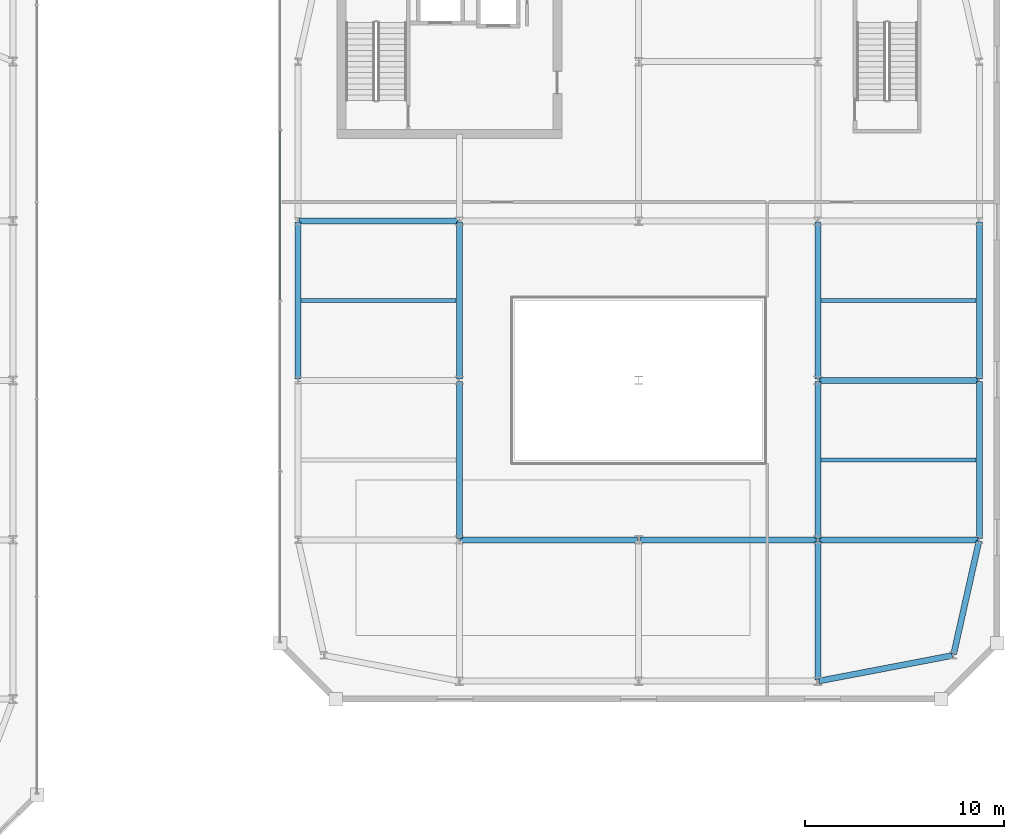
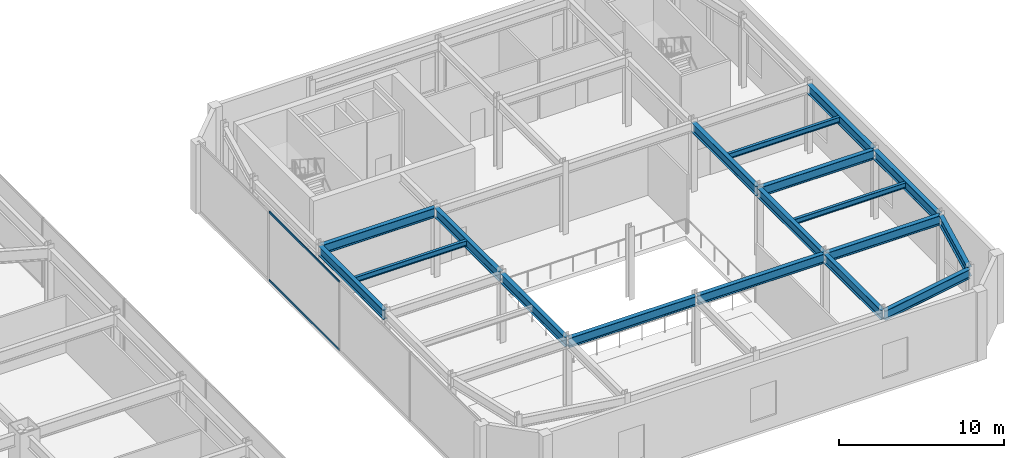
# One storey, part 35 of 52: 18 beams, 2 members, 1 element without a shape of its own.
"""IFC4 building model written with IfcOpenShell, lengths in metres."""

from ifc_helpers import new_model, si_unit, direction, frame, origin, origin_2d, place, context, subcontext, project, spatial, hollow_rectangle, i_section, extrude, material, material_profile, profile_set, type_object, element, aggregate, save


model = new_model("IFC4")

# Units and contexts
model_context = context("Model", 3, precision=1e-05, world=origin(), true_north=direction((0.0, 1.0)))
body_context = subcontext(model_context, "Body", "Model", "MODEL_VIEW")
ifc_project = project(units=[si_unit("LENGTHUNIT", "METRE"), si_unit("AREAUNIT", "SQUARE_METRE"), si_unit("VOLUMEUNIT", "CUBIC_METRE"), si_unit("PLANEANGLEUNIT", "RADIAN"), si_unit("MASSUNIT", "GRAM", prefix="KILO")], contexts=[model_context])

# Site, building, storey
site_placement = place(None, origin())
site = spatial("IfcSite", under=ifc_project, at=site_placement, CompositionType="ELEMENT")
building_placement = place(site_placement, origin())
building = spatial("IfcBuilding", under=site, at=building_placement, Name="Saevonmaru Cultural Tower", CompositionType="ELEMENT")
storey_placement = place(building_placement, frame((0.0, 0.0, 11.39990234375)))
storey = spatial("IfcBuildingStorey", under=building, at=storey_placement, Name="L02", CompositionType="ELEMENT", Elevation=11.39990234375)

# Beams
ifc_material_1 = material(Name="Steel SM355", Category="steel")
ifc_material_profile_1 = material_profile(ifc_material_1, i_section(OverallWidth=0.300048828125, OverallDepth=0.699951171875, WebThickness=0.012939453125, FlangeThickness=0.02392578125, FilletRadius=0.02587890625, at=origin_2d()), Name="H-700x300x13x24")
ifc_profile_set_1 = profile_set([ifc_material_profile_1], Name="Steel SM355")
beam_type_1 = type_object("IfcBeamType", Name="BM-G-H700", PredefinedType="BEAM", material=ifc_profile_set_1)
beam_1_placement = place(storey_placement, frame((99.2587890625, 8.911376953125, 4.75), z_axis=(0.982216489393, 0.187751878722, 0.0), x_axis=(-0.187751878722, 0.982216489393, 0.0)))
element("IfcBeam", 1, at=beam_1_placement, inside=storey, type_object=beam_type_1, Name="L02 Library Girder EW-1-4", PredefinedType="BEAM", context=body_context, shape_type="SweptSolid", body=[
    extrude(i_section(OverallWidth=0.300048828125, OverallDepth=0.699951171875, WebThickness=0.012939453125, FlangeThickness=0.02392578125, FilletRadius=0.02587890625, at=origin_2d()), origin(), (0.0, 0.0, 1.0), 6.803466796875),
])
for number, where, z_axis, x_axis, name in (
    (2, (81.260009765625, 16.0, 4.75), (1.0, 0.0, 0.0), (0.0, 1.0, 0.0), "L02 Library Girder EW-2-2"),
    (3, (90.260009765625, 16.0, 4.75), (1.0, 0.0, 0.0), (0.0, 1.0, 0.0), "L02 Library Girder EW-2-3"),
):
    element("IfcBeam", number, at=place(storey_placement, frame(where, z_axis=z_axis, x_axis=x_axis)), inside=storey, type_object=beam_type_1, Name=name, PredefinedType="BEAM", context=body_context, shape_type="SweptSolid", body=[
        extrude(i_section(OverallWidth=0.300048828125, OverallDepth=0.699951171875, WebThickness=0.012939453125, FlangeThickness=0.02392578125, FilletRadius=0.02587890625, at=origin_2d()), origin(), (0.0, 0.0, 1.0), 8.8798828125),
    ])
for number, where, z_axis, x_axis, name in (
    (4, (99.260009765625, 16.0, 4.75), (1.0, 0.0, 0.0), (0.0, 1.0, 0.0), "L02 Library Girder EW-2-4"),
    (5, (99.260009765625, 24.0, 4.75), (1.0, 0.0, 0.0), (0.0, 1.0, 0.0), "L02 Library Girder EW-3-4"),
    (6, (73.159912109375, 32.0, 4.75), (1.0, 0.0, 0.0), (0.0, 1.0, 0.0), "L02 Library Girder EW-4-1"),
):
    element("IfcBeam", number, at=place(storey_placement, frame(where, z_axis=z_axis, x_axis=x_axis)), inside=storey, type_object=beam_type_1, Name=name, PredefinedType="BEAM", context=body_context, shape_type="SweptSolid", body=[
        extrude(i_section(OverallWidth=0.300048828125, OverallDepth=0.699951171875, WebThickness=0.012939453125, FlangeThickness=0.02392578125, FilletRadius=0.02587890625, at=origin_2d()), origin(), (0.0, 0.0, 1.0), 7.97998046875),
    ])
for number, where, z_axis, x_axis, name in (
    (7, (73.10009765625, 24.06005859375, 4.75), (0.0, 1.0, 0.0), (-1.0, 0.0, 0.0), "L02 Library Girder NS-1-3"),
    (8, (81.199951171875, 16.06005859375, 4.75), (0.0, 1.0, 0.0), (-1.0, 0.0, 0.0), "L02 Library Girder NS-2-2"),
    (9, (81.199951171875, 24.06005859375, 4.75), (0.0, 1.0, 0.0), (-1.0, 0.0, 0.0), "L02 Library Girder NS-2-3"),
):
    element("IfcBeam", number, at=place(storey_placement, frame(where, z_axis=z_axis, x_axis=x_axis)), inside=storey, type_object=beam_type_1, Name=name, PredefinedType="BEAM", context=body_context, shape_type="SweptSolid", body=[
        extrude(i_section(OverallWidth=0.300048828125, OverallDepth=0.699951171875, WebThickness=0.012939453125, FlangeThickness=0.02392578125, FilletRadius=0.02587890625, at=origin_2d()), origin(), (0.0, 0.0, 1.0), 7.8798828125),
    ])
beam_2_placement = place(storey_placement, frame((99.199951171875, 8.9599609375, 4.75), z_axis=(0.0, 1.0, 0.0), x_axis=(-1.0, 0.0, 0.0)))
element("IfcBeam", 10, at=beam_2_placement, inside=storey, type_object=beam_type_1, Name="L02 Library Girder NS-4-1", PredefinedType="BEAM", context=body_context, shape_type="SweptSolid", body=[
    extrude(i_section(OverallWidth=0.300048828125, OverallDepth=0.699951171875, WebThickness=0.012939453125, FlangeThickness=0.02392578125, FilletRadius=0.02587890625, at=origin_2d()), origin(), (0.0, 0.0, 1.0), 6.97998046875),
])
for number, where, z_axis, x_axis, name in (
    (11, (99.199951171875, 16.06005859375, 4.75), (0.0, 1.0, 0.0), (-1.0, 0.0, 0.0), "L02 Library Girder NS-4-2"),
    (12, (99.199951171875, 24.06005859375, 4.75), (0.0, 1.0, 0.0), (-1.0, 0.0, 0.0), "L02 Library Girder NS-4-3"),
):
    element("IfcBeam", number, at=place(storey_placement, frame(where, z_axis=z_axis, x_axis=x_axis)), inside=storey, type_object=beam_type_1, Name=name, PredefinedType="BEAM", context=body_context, shape_type="SweptSolid", body=[
        extrude(i_section(OverallWidth=0.300048828125, OverallDepth=0.699951171875, WebThickness=0.012939453125, FlangeThickness=0.02392578125, FilletRadius=0.02587890625, at=origin_2d()), origin(), (0.0, 0.0, 1.0), 7.8798828125),
    ])
beam_3_placement = place(storey_placement, frame((106.01318359375, 10.258544921875, 4.75), z_axis=(0.218701133908, 0.975791890737, 0.0), x_axis=(-0.975791890737, 0.218701133908, 0.0)))
element("IfcBeam", 13, at=beam_3_placement, inside=storey, type_object=beam_type_1, Name="L02 Library Girder NS-5-1", PredefinedType="BEAM", context=body_context, shape_type="SweptSolid", body=[
    extrude(i_section(OverallWidth=0.300048828125, OverallDepth=0.699951171875, WebThickness=0.012939453125, FlangeThickness=0.02392578125, FilletRadius=0.02587890625, at=origin_2d()), origin(), (0.0, 0.0, 1.0), 5.82373046875),
])
for number, where, z_axis, x_axis, name in (
    (14, (107.300048828125, 16.06005859375, 4.75), (0.0, 1.0, 0.0), (-1.0, 0.0, 0.0), "L02 Library Girder NS-5-2"),
    (15, (107.300048828125, 24.06005859375, 4.75), (0.0, 1.0, 0.0), (-1.0, 0.0, 0.0), "L02 Library Girder NS-5-3"),
):
    element("IfcBeam", number, at=place(storey_placement, frame(where, z_axis=z_axis, x_axis=x_axis)), inside=storey, type_object=beam_type_1, Name=name, PredefinedType="BEAM", context=body_context, shape_type="SweptSolid", body=[
        extrude(i_section(OverallWidth=0.300048828125, OverallDepth=0.699951171875, WebThickness=0.012939453125, FlangeThickness=0.02392578125, FilletRadius=0.02587890625, at=origin_2d()), origin(), (0.0, 0.0, 1.0), 7.8798828125),
    ])
ifc_material_profile_2 = material_profile(ifc_material_1, i_section(OverallWidth=0.199951171875, OverallDepth=0.39990234375, WebThickness=0.008056640625, FlangeThickness=0.012939453125, FilletRadius=0.01611328125, at=origin_2d()), Name="H-400x200x8x13")
ifc_profile_set_2 = profile_set([ifc_material_profile_2], Name="Steel SM355")
beam_type_2 = type_object("IfcBeamType", Name="BM-J-H400", PredefinedType="JOIST", material=ifc_profile_set_2)
beam_4_placement = place(storey_placement, frame((99.35791015625, 20.0, 4.900146484375), z_axis=(1.0, 0.0, 0.0), x_axis=(0.0, 1.0, 0.0)))
element("IfcBeam", 16, at=beam_4_placement, inside=storey, type_object=beam_type_2, Name="L02 Library Joist J-2-4", PredefinedType="JOIST", context=body_context, shape_type="SweptSolid", body=[
    extrude(i_section(OverallWidth=0.199951171875, OverallDepth=0.39990234375, WebThickness=0.008056640625, FlangeThickness=0.012939453125, FilletRadius=0.01611328125, at=origin_2d()), origin(), (0.0, 0.0, 1.0), 7.7841796875),
])
beam_5_placement = place(storey_placement, frame((73.258056640625, 28.0, 4.900146484375), z_axis=(1.0, 0.0, 0.0), x_axis=(0.0, 1.0, 0.0)))
element("IfcBeam", 17, at=beam_5_placement, inside=storey, type_object=beam_type_2, Name="L02 Library Joist J-3-1", PredefinedType="JOIST", context=body_context, shape_type="SweptSolid", body=[
    extrude(i_section(OverallWidth=0.199951171875, OverallDepth=0.39990234375, WebThickness=0.008056640625, FlangeThickness=0.012939453125, FilletRadius=0.01611328125, at=origin_2d()), origin(), (0.0, 0.0, 1.0), 7.783935546875),
])
beam_6_placement = place(storey_placement, frame((99.35791015625, 28.0, 4.900146484375), z_axis=(1.0, 0.0, 0.0), x_axis=(0.0, 1.0, 0.0)))
element("IfcBeam", 18, at=beam_6_placement, inside=storey, type_object=beam_type_2, Name="L02 Library Joist J-3-4", PredefinedType="JOIST", context=body_context, shape_type="SweptSolid", body=[
    extrude(i_section(OverallWidth=0.199951171875, OverallDepth=0.39990234375, WebThickness=0.008056640625, FlangeThickness=0.012939453125, FilletRadius=0.01611328125, at=origin_2d()), origin(), (0.0, 0.0, 1.0), 7.7841796875),
])

# Curtain wall, members
ifc_material_2 = material(Name="Satin Bronze Anodised Aluminium", Category="aluminium")
curtain_wall_type = type_object("IfcCurtainWallType", Name="CW-LIB-GLZ", PredefinedType="NOTDEFINED", material=ifc_material_2)
curtain_wall_placement = place(storey_placement, origin())
curtain_wall = element("IfcCurtainWall", 19, at=curtain_wall_placement, inside=storey, type_object=curtain_wall_type, Name="L02 Central Library Reading Hall Curtain Wall 8", PredefinedType="NOTDEFINED")
ifc_material_profile_3 = material_profile(ifc_material_2, hollow_rectangle(XDim=0.06494140625, YDim=0.14990234375, WallThickness=0.00390625, at=origin_2d()), Name="ALU-TRAN-150x65x4")
ifc_profile_set_3 = profile_set([ifc_material_profile_3], Name="Satin Bronze Anodised Aluminium")
member_type = type_object("IfcMemberType", Name="TR-CW-150x65", PredefinedType="USERDEFINED", material=ifc_profile_set_3)
member_1_placement = place(storey_placement, frame((72.199951171875, 36.53759765625, 0.03271484375), z_axis=(0.0, -1.0, 0.0), x_axis=(1.0, 0.0, 0.0)))
member_1 = element("IfcMember", 20, at=member_1_placement, type_object=member_type, Name="CW-LIB-8-L02 transom 2.1", ObjectType="TRANSOM", PredefinedType="USERDEFINED", context=body_context, shape_type="SweptSolid", body=[
    extrude(hollow_rectangle(XDim=0.06494140625, YDim=0.14990234375, WallThickness=0.00390625, at=origin_2d()), origin(), (0.0, 0.0, 1.0), 8.505126953125),
])
member_2_placement = place(storey_placement, frame((72.199951171875, 36.53759765625, 5.067626953125), z_axis=(0.0, -1.0, 0.0), x_axis=(1.0, 0.0, 0.0)))
member_2 = element("IfcMember", 21, at=member_2_placement, type_object=member_type, Name="CW-LIB-8-L02 transom 2.2", ObjectType="TRANSOM", PredefinedType="USERDEFINED", context=body_context, shape_type="SweptSolid", body=[
    extrude(hollow_rectangle(XDim=0.06494140625, YDim=0.14990234375, WallThickness=0.00390625, at=origin_2d()), origin(), (0.0, 0.0, 1.0), 8.505126953125),
])
aggregate(curtain_wall, [member_1, member_2])

save(model, "model.ifc")
